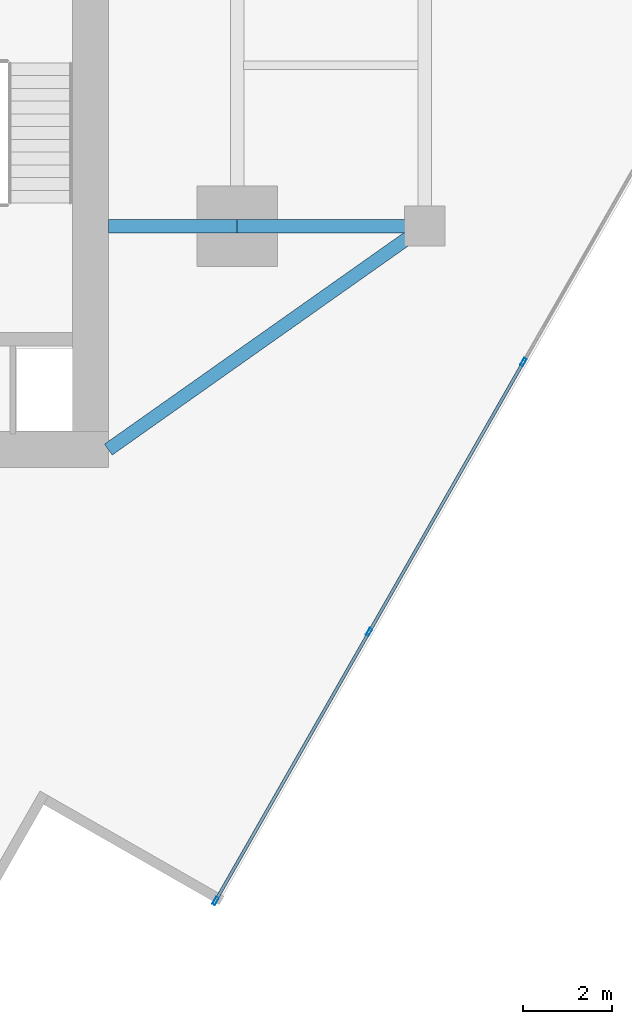
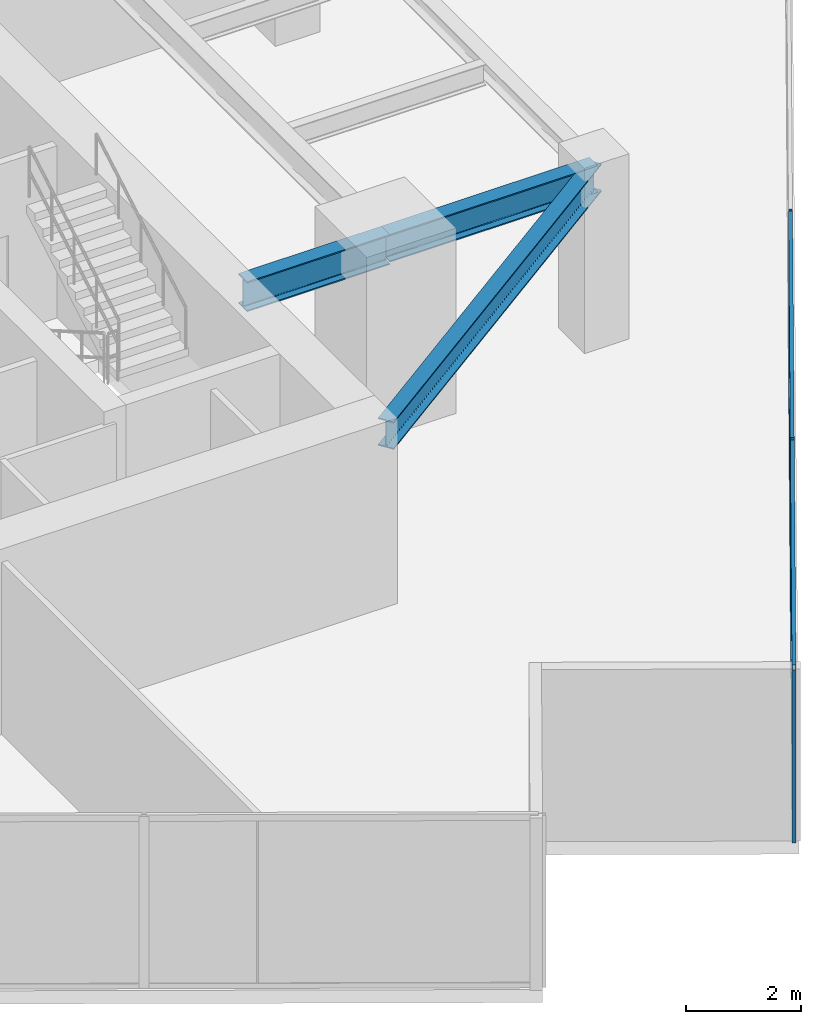
# One storey, part 9 of 24: 7 members, 3 beams, 1 element without a shape of its own.
"""IFC4 building model written with IfcOpenShell, lengths in metres."""

from ifc_helpers import new_model, si_unit, direction, frame, origin, origin_2d, place, context, subcontext, project, spatial, hollow_rectangle, i_section, extrude, source, transform, mapped, material, material_profile, profile_set, type_object, type_shapes, element, aggregate, save


model = new_model("IFC4")

# Units and contexts
model_context = context("Model", 3, precision=1e-05, world=origin(), true_north=direction((0.0, 1.0)))
body_context = subcontext(model_context, "Body", "Model", "MODEL_VIEW")
ifc_project = project(units=[si_unit("LENGTHUNIT", "METRE"), si_unit("AREAUNIT", "SQUARE_METRE"), si_unit("VOLUMEUNIT", "CUBIC_METRE"), si_unit("PLANEANGLEUNIT", "RADIAN"), si_unit("MASSUNIT", "GRAM", prefix="KILO")], contexts=[model_context])

# Site, building, storey
site_placement = place(None, origin())
site = spatial("IfcSite", under=ifc_project, at=site_placement, CompositionType="ELEMENT")
building_placement = place(site_placement, origin())
building = spatial("IfcBuilding", under=site, at=building_placement, Name="Krantzveldt Concourse Tower", CompositionType="ELEMENT")
storey_placement = place(building_placement, frame((0.0, 0.0, 169.89990234375)))
storey = spatial("IfcBuildingStorey", under=building, at=storey_placement, Name="L41", CompositionType="ELEMENT", Elevation=169.89990234375)

# Beams
ifc_material_1 = material(Name="Steel S355JR", Category="steel")
ifc_material_profile_1 = material_profile(ifc_material_1, i_section(OverallWidth=0.300048828125, OverallDepth=0.590087890625, WebThickness=0.012939453125, FlangeThickness=0.02490234375, FilletRadius=0.027099609375, at=origin_2d()), Name="Steel S355JR", Category="steel")
ifc_profile_set_1 = profile_set([ifc_material_profile_1], Name="Steel S355JR - HEA 600")
beam_type_1 = type_object("IfcBeamType", Name="BM-B-HEA600", PredefinedType="BEAM", material=ifc_profile_set_1)
shared_shape_1 = source(origin(), body_context, "Body", "SweptSolid", [
    extrude(i_section(OverallWidth=0.300048828125, OverallDepth=0.590087890625, WebThickness=0.012939453125, FlangeThickness=0.02490234375, FilletRadius=0.027099609375, at=origin_2d()), origin(), (0.0, 0.0, 1.0), 4.199951171875),
])
beam_1_placement = place(storey_placement, frame((46.800048828125, 15.89990234375, 3.375), z_axis=(1.0, 0.0, 0.0), x_axis=(0.0, 1.0, 0.0)))
element("IfcBeam", 1, at=beam_1_placement, inside=storey, type_object=beam_type_1, Name="L41 Tower Girder BR-RR1", PredefinedType="BEAM", context=body_context, shape_type="MappedRepresentation", body=[
    mapped(shared_shape_1, transform((0.0, 0.0, 0.0), x_axis=(1.0, 0.0, 0.0), y_axis=(0.0, 1.0, 0.0), z_axis=(0.0, 0.0, 1.0), scale=1.0)),
])
shared_shape_2 = source(origin(), body_context, "Body", "SweptSolid", [
    extrude(i_section(OverallWidth=0.300048828125, OverallDepth=0.590087890625, WebThickness=0.012939453125, FlangeThickness=0.02490234375, FilletRadius=0.027099609375, at=origin_2d()), origin(), (0.0, 0.0, 1.0), 8.667724609375),
])
type_shapes(beam_type_1, [shared_shape_1, shared_shape_2])
beam_2_placement = place(storey_placement, frame((51.0, 15.89990234375, 3.375), z_axis=(-0.81684294656, -0.576860122261, 0.0), x_axis=(0.576860122261, -0.81684294656, 0.0)))
element("IfcBeam", 2, at=beam_2_placement, inside=storey, type_object=beam_type_1, Name="L41 Tower Girder BR-CSE", PredefinedType="BEAM", context=body_context, shape_type="MappedRepresentation", body=[
    mapped(shared_shape_2, transform((0.0, 0.0, 0.0), x_axis=(1.0, 0.0, 0.0), y_axis=(0.0, 1.0, 0.0), z_axis=(0.0, 0.0, 1.0), scale=1.0)),
])
ifc_material_profile_2 = material_profile(ifc_material_1, i_section(OverallWidth=0.300048828125, OverallDepth=0.639892578125, WebThickness=0.013427734375, FlangeThickness=0.02587890625, FilletRadius=0.027099609375, at=origin_2d()), Name="Steel S355JR", Category="steel")
ifc_profile_set_2 = profile_set([ifc_material_profile_2], Name="Steel S355JR - HEA 650")
beam_type_2 = type_object("IfcBeamType", Name="BM-B-HEA650", PredefinedType="BEAM", material=ifc_profile_set_2)
shared_shape_3 = source(origin(), body_context, "Body", "SweptSolid", [
    extrude(i_section(OverallWidth=0.300048828125, OverallDepth=0.639892578125, WebThickness=0.013427734375, FlangeThickness=0.02587890625, FilletRadius=0.027099609375, at=origin_2d()), origin(), (0.0, 0.0, 1.0), 2.880126953125),
])
type_shapes(beam_type_2, [shared_shape_3])
beam_3_placement = place(storey_placement, frame((43.919921875, 15.89990234375, 3.35009765625), z_axis=(1.0, 0.0, 0.0), x_axis=(0.0, 1.0, 0.0)))
element("IfcBeam", 3, at=beam_3_placement, inside=storey, type_object=beam_type_2, Name="L41 Tower Girder BG-CE1", PredefinedType="BEAM", context=body_context, shape_type="MappedRepresentation", body=[
    mapped(shared_shape_3, transform((0.0, 0.0, 0.0), x_axis=(1.0, 0.0, 0.0), y_axis=(0.0, 1.0, 0.0), z_axis=(0.0, 0.0, 1.0), scale=1.0)),
])

# Curtain wall, members
ifc_material_2 = material(Name="Anodised aluminium 6063-T6", Category="aluminium")
curtain_wall_type = type_object("IfcCurtainWallType", Name="CW3", PredefinedType="USERDEFINED", material=ifc_material_2)
curtain_wall_placement = place(storey_placement, origin())
curtain_wall = element("IfcCurtainWall", 4, at=curtain_wall_placement, inside=storey, type_object=curtain_wall_type, Name="CW-L41-F11", ObjectType="UNITISED CURTAIN WALL", PredefinedType="USERDEFINED")
ifc_material_profile_3 = material_profile(ifc_material_2, hollow_rectangle(XDim=0.070068359375, YDim=0.179931640625, WallThickness=0.0048828125, at=origin_2d()), Name="Anodised aluminium 6063-T6", Category="aluminium")
ifc_profile_set_3 = profile_set([ifc_material_profile_3], Name="Anodised aluminium 6063-T6 - ALU-MULL 180x70x5")
member_type_1 = type_object("IfcMemberType", Name="CW-MUL-180", PredefinedType="MULLION", material=ifc_profile_set_3)
shared_shape_4 = source(origin(), body_context, "Body", "SweptSolid", [
    extrude(hollow_rectangle(XDim=0.070068359375, YDim=0.179931640625, WallThickness=0.0048828125, at=origin_2d()), origin(), (0.0, 0.0, 1.0), 3.670166015625),
])
type_shapes(member_type_1, [shared_shape_4])
member_1_placement = place(storey_placement, frame((46.318603515625, 0.80126953125, 0.0), z_axis=(0.0, 0.0, 1.0), x_axis=(-0.868198876949, 0.496216394392, 0.0)))
member_1 = element("IfcMember", 5, at=member_1_placement, type_object=member_type_1, Name="CW-Z34 mullion 1", PredefinedType="MULLION", context=body_context, shape_type="MappedRepresentation", body=[
    mapped(shared_shape_4, transform((0.0, 0.0, 0.0), x_axis=(1.0, 0.0, 0.0), y_axis=(0.0, 1.0, 0.0), z_axis=(0.0, 0.0, 1.0), scale=1.0)),
])
member_2_placement = place(storey_placement, frame((49.7548828125, 6.8134765625, 0.0), z_axis=(0.0, 0.0, 1.0), x_axis=(-0.868198876949, 0.496216394392, 0.0)))
member_2 = element("IfcMember", 6, at=member_2_placement, type_object=member_type_1, Name="CW-Z34 mullion 2", PredefinedType="MULLION", context=body_context, shape_type="MappedRepresentation", body=[
    mapped(shared_shape_4, transform((0.0, 0.0, 0.0), x_axis=(1.0, 0.0, 0.0), y_axis=(0.0, 1.0, 0.0), z_axis=(0.0, 0.0, 1.0), scale=1.0)),
])
member_3_placement = place(storey_placement, frame((53.20849609375, 12.856201171875, 0.0), z_axis=(0.0, 0.0, 1.0), x_axis=(-0.868198876949, 0.496216394392, 0.0)))
member_3 = element("IfcMember", 7, at=member_3_placement, type_object=member_type_1, Name="CW-Z34 mullion 3", PredefinedType="MULLION", context=body_context, shape_type="MappedRepresentation", body=[
    mapped(shared_shape_4, transform((0.0, 0.0, 0.0), x_axis=(1.0, 0.0, 0.0), y_axis=(0.0, 1.0, 0.0), z_axis=(0.0, 0.0, 1.0), scale=1.0)),
])
ifc_material_profile_4 = material_profile(ifc_material_2, hollow_rectangle(XDim=0.070068359375, YDim=0.139892578125, WallThickness=0.0048828125, at=origin_2d()), Name="Anodised aluminium 6063-T6", Category="aluminium")
ifc_profile_set_4 = profile_set([ifc_material_profile_4], Name="Anodised aluminium 6063-T6 - ALU-TRAN 140x70x5")
member_type_2 = type_object("IfcMemberType", Name="CW-TRN-150", PredefinedType="USERDEFINED", material=ifc_profile_set_4)
shared_shape_5 = source(origin(), body_context, "Body", "SweptSolid", [
    extrude(hollow_rectangle(XDim=0.070068359375, YDim=0.139892578125, WallThickness=0.0048828125, at=origin_2d()), origin(), (0.0, 0.0, 1.0), 6.889892578125),
])
member_4_placement = place(storey_placement, frame((49.772216796875, 6.843994140625, 0.03515625), z_axis=(0.496230521218, 0.868190802653, 0.0), x_axis=(-0.868190802653, 0.496230521218, 0.0)))
member_4 = element("IfcMember", 8, at=member_4_placement, type_object=member_type_2, Name="CW-Z34 transom 2.1", ObjectType="TRANSOM", PredefinedType="USERDEFINED", context=body_context, shape_type="MappedRepresentation", body=[
    mapped(shared_shape_5, transform((0.0, 0.0, 0.0), x_axis=(1.0, 0.0, 0.0), y_axis=(0.0, 1.0, 0.0), z_axis=(0.0, 0.0, 1.0), scale=1.0)),
])
member_5_placement = place(storey_placement, frame((49.772216796875, 6.843994140625, 3.635009765625), z_axis=(0.496230521218, 0.868190802653, 0.0), x_axis=(-0.868190802653, 0.496230521218, 0.0)))
member_5 = element("IfcMember", 9, at=member_5_placement, type_object=member_type_2, Name="CW-Z34 transom 2.2", ObjectType="TRANSOM", PredefinedType="USERDEFINED", context=body_context, shape_type="MappedRepresentation", body=[
    mapped(shared_shape_5, transform((0.0, 0.0, 0.0), x_axis=(1.0, 0.0, 0.0), y_axis=(0.0, 1.0, 0.0), z_axis=(0.0, 0.0, 1.0), scale=1.0)),
])
shared_shape_6 = source(origin(), body_context, "Body", "SweptSolid", [
    extrude(hollow_rectangle(XDim=0.070068359375, YDim=0.139892578125, WallThickness=0.0048828125, at=origin_2d()), origin(), (0.0, 0.0, 1.0), 6.855224609375),
])
type_shapes(member_type_2, [shared_shape_5, shared_shape_6])
member_6_placement = place(storey_placement, frame((46.3359375, 0.83154296875, 0.03515625), z_axis=(0.496211808618, 0.868201497918, 0.0), x_axis=(-0.868201497918, 0.496211808618, 0.0)))
member_6 = element("IfcMember", 10, at=member_6_placement, type_object=member_type_2, Name="CW-Z34 transom 1.1", ObjectType="TRANSOM", PredefinedType="USERDEFINED", context=body_context, shape_type="MappedRepresentation", body=[
    mapped(shared_shape_6, transform((0.0, 0.0, 0.0), x_axis=(1.0, 0.0, 0.0), y_axis=(0.0, 1.0, 0.0), z_axis=(0.0, 0.0, 1.0), scale=1.0)),
])
member_7_placement = place(storey_placement, frame((46.3359375, 0.83154296875, 3.635009765625), z_axis=(0.496211808618, 0.868201497918, 0.0), x_axis=(-0.868201497918, 0.496211808618, 0.0)))
member_7 = element("IfcMember", 11, at=member_7_placement, type_object=member_type_2, Name="CW-Z34 transom 1.2", ObjectType="TRANSOM", PredefinedType="USERDEFINED", context=body_context, shape_type="MappedRepresentation", body=[
    mapped(shared_shape_6, transform((0.0, 0.0, 0.0), x_axis=(1.0, 0.0, 0.0), y_axis=(0.0, 1.0, 0.0), z_axis=(0.0, 0.0, 1.0), scale=1.0)),
])
aggregate(curtain_wall, [member_1, member_2, member_3, member_6, member_7, member_4, member_5])

save(model, "model.ifc")
